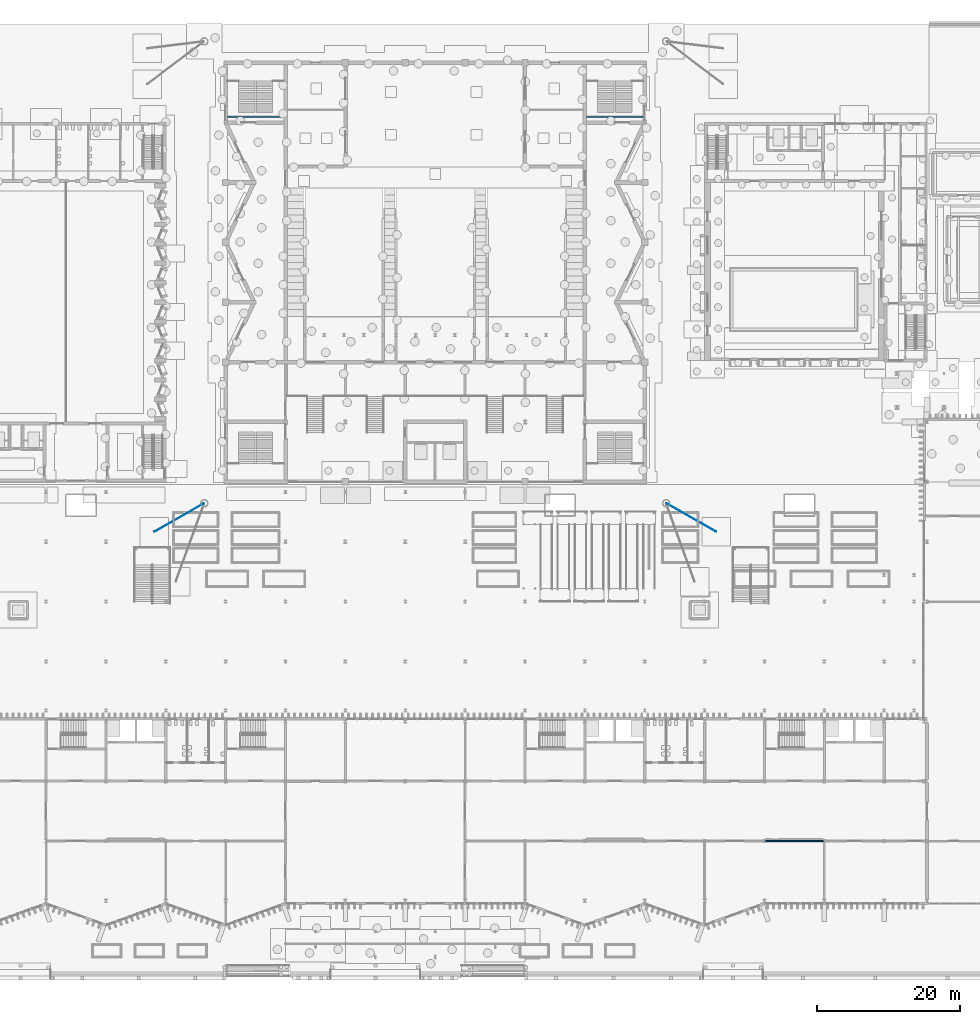
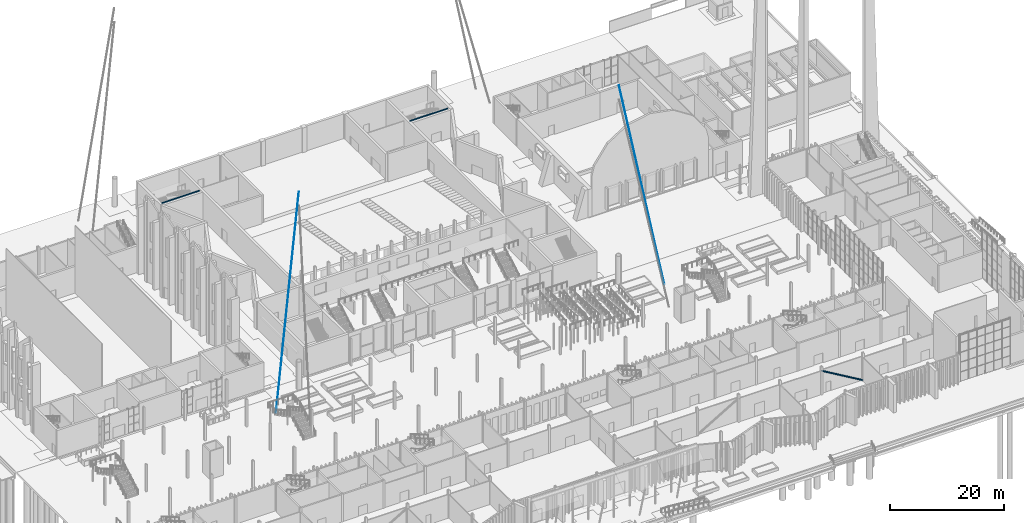
# One storey, part 38 of 108: 3 members, 2 beams.
"""IFC4 building model written with IfcOpenShell, lengths in metres."""

from ifc_helpers import new_model, si_unit, direction, frame, origin, origin_2d, place, context, subcontext, project, spatial, circle, hollow_circle, i_section, extrude, material, material_profile, profile_set, type_object, element, save


model = new_model("IFC4")

# Units and contexts
model_context = context("Model", 3, precision=1e-05, world=origin(), true_north=direction((0.0, 1.0)))
body_context = subcontext(model_context, "Body", "Model", "MODEL_VIEW")
ifc_project = project(units=[si_unit("LENGTHUNIT", "METRE"), si_unit("AREAUNIT", "SQUARE_METRE"), si_unit("VOLUMEUNIT", "CUBIC_METRE"), si_unit("PLANEANGLEUNIT", "RADIAN"), si_unit("MASSUNIT", "GRAM", prefix="KILO")], contexts=[model_context])

# Site, building, storey
site_placement = place(None, origin())
site = spatial("IfcSite", under=ifc_project, at=site_placement, CompositionType="ELEMENT")
building_placement = place(site_placement, origin())
building = spatial("IfcBuilding", under=site, at=building_placement, Name="Cresset Court Congress Hotel", CompositionType="ELEMENT")
storey_placement = place(building_placement, origin())
storey = spatial("IfcBuildingStorey", under=building, at=storey_placement, Name="L00", CompositionType="ELEMENT", Elevation=0.0)

# Members
ifc_material_1 = material(Name="Structural steel Q355B", Category="steel")
ifc_material_profile_1 = material_profile(ifc_material_1, circle(Radius=0.035888671875, at=origin_2d()), Name="CABLE72")
ifc_profile_set_1 = profile_set([ifc_material_profile_1], Name="Structural steel Q355B")
member_type_1 = type_object("IfcMemberType", Name="Back-tie cable 72", PredefinedType="USERDEFINED", material=ifc_profile_set_1)
for number, where, z_axis, x_axis, name in (
    (1, (55.718994140625, 55.753662109375, 42.30078125), (-0.159646416963, -0.091226523979, -0.982950020537), (0.496138938357, -0.868243142124, 0.0), "Back-tie cable M1-1"),
    (2, (120.68115234375, 55.753662109375, 42.30078125), (0.159640926502, -0.091226606032, -0.982950904643), (0.496152137847, 0.868235599425, 0.0), "Back-tie cable M2-1"),
):
    element("IfcMember", number, at=place(storey_placement, frame(where, z_axis=z_axis, x_axis=x_axis)), inside=storey, type_object=member_type_1, Name=name, ObjectType="CABLE", PredefinedType="USERDEFINED", context=body_context, shape_type="SweptSolid", body=[
        extrude(circle(Radius=0.035888671875, at=origin_2d()), origin(), (0.0, 0.0, 1.0), 43.3330078125),
    ])

# Beams
ifc_material_2 = material(Name="Structural steel Q355B", Category="steel")
ifc_material_profile_2 = material_profile(ifc_material_2, i_section(OverallWidth=0.14990234375, OverallDepth=0.300048828125, WebThickness=0.006591796875, FlangeThickness=0.009033203125, FilletRadius=0.012939453125, at=origin_2d()), Name="HN300x150x6.5x9")
ifc_profile_set_2 = profile_set([ifc_material_profile_2], Name="Structural steel Q355B")
beam_type = type_object("IfcBeamType", Name="Steel HN300x150x6.5x9 strip beam", PredefinedType="BEAM", material=ifc_profile_set_2)
beam_1_placement = place(storey_placement, frame((59.050048828125, 110.02490234375, 5.64990234375), z_axis=(1.0, 0.0, 0.0), x_axis=(0.0, 1.0, 0.0)))
element("IfcBeam", 3, at=beam_1_placement, inside=storey, type_object=beam_type, Name="Beam CC-C3L01", PredefinedType="BEAM", context=body_context, shape_type="SweptSolid", body=[
    extrude(i_section(OverallWidth=0.14990234375, OverallDepth=0.300048828125, WebThickness=0.006591796875, FlangeThickness=0.009033203125, FilletRadius=0.012939453125, at=origin_2d()), origin(), (0.0, 0.0, 1.0), 7.89990234375),
])
beam_2_placement = place(storey_placement, frame((109.449951171875, 110.02490234375, 5.64990234375), z_axis=(1.0, 0.0, 0.0), x_axis=(0.0, 1.0, 0.0)))
element("IfcBeam", 4, at=beam_2_placement, inside=storey, type_object=beam_type, Name="Beam CC-C4L01", PredefinedType="BEAM", context=body_context, shape_type="SweptSolid", body=[
    extrude(i_section(OverallWidth=0.14990234375, OverallDepth=0.300048828125, WebThickness=0.006591796875, FlangeThickness=0.009033203125, FilletRadius=0.012939453125, at=origin_2d()), origin(), (0.0, 0.0, 1.0), 7.900146484375),
])

# Member
ifc_material_3 = material(Name="Structural steel Q355B", Category="steel")
ifc_material_profile_3 = material_profile(ifc_material_3, hollow_circle(Radius=0.16259765625, WallThickness=0.013916015625, at=origin_2d()), Name="CHS325x14")
ifc_profile_set_3 = profile_set([ifc_material_profile_3], Name="Structural steel Q355B")
member_type_2 = type_object("IfcMemberType", Name="Steel brace CHS325x14", PredefinedType="BRACE", material=ifc_profile_set_3)
member_placement = place(storey_placement, frame((134.39990234375, 8.39990234375, 5.06005859375), z_axis=(0.861095382582, 0.0, -0.508443450244), x_axis=(0.0, 1.0, 0.0)))
element("IfcMember", 5, at=member_placement, inside=storey, type_object=member_type_2, Name="Brace L00 17", PredefinedType="BRACE", context=body_context, shape_type="SweptSolid", body=[
    extrude(hollow_circle(Radius=0.16259765625, WallThickness=0.013916015625, at=origin_2d()), origin(), (0.0, 0.0, 1.0), 9.755126953125),
])

save(model, "model.ifc")
